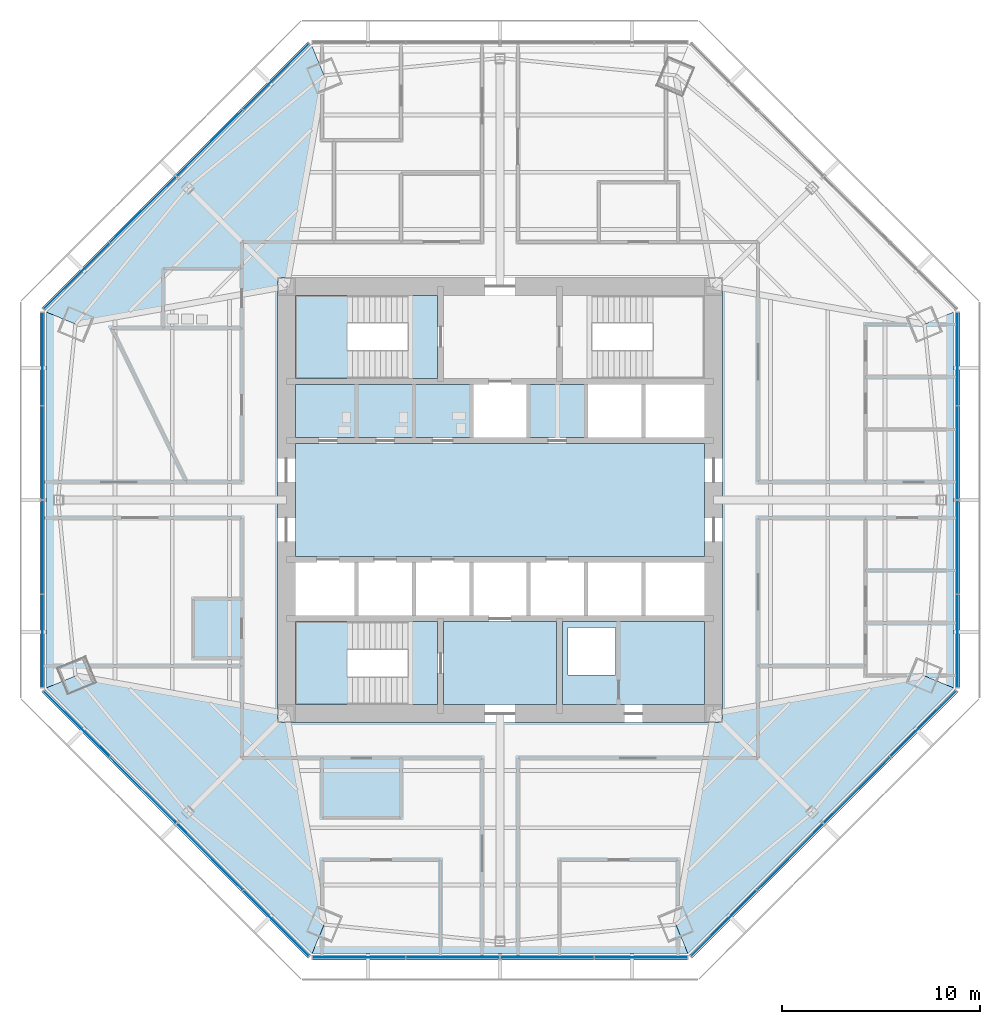
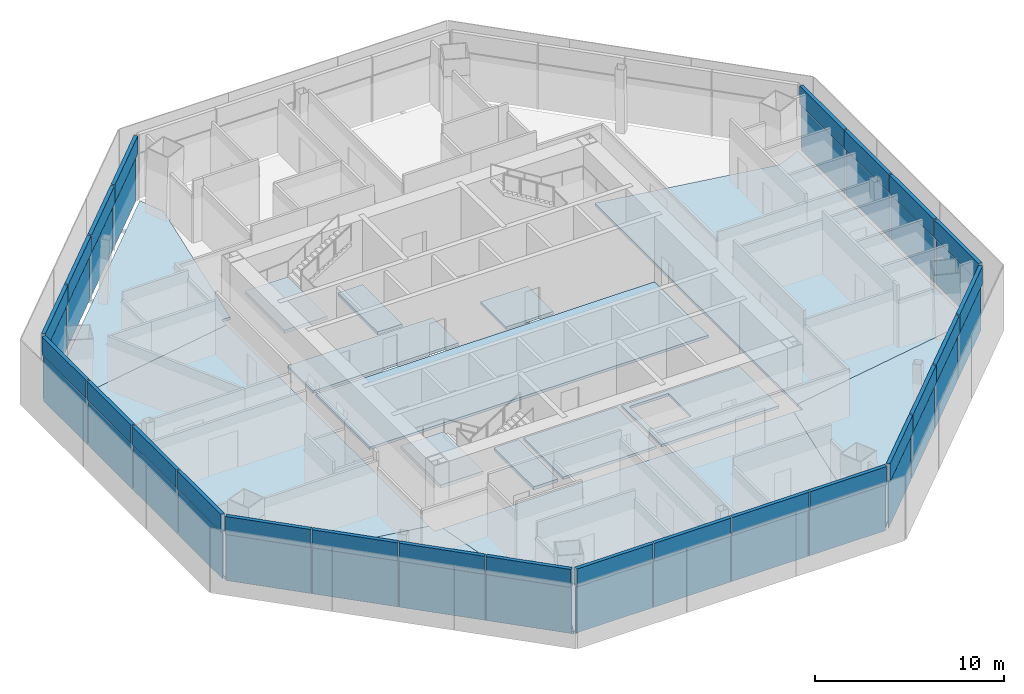
# One storey, part 7 of 15: 48 plates, 15 slabs, 8 elements without a shape of their own.
"""IFC4 building model written with IfcOpenShell, lengths in metres."""

from ifc_helpers import new_model, si_unit, direction, frame, origin, origin_2d, place, context, subcontext, project, spatial, polyline, rectangle, outline, extrude, source, transform, mapped, material, layer, layer_set, type_object, type_shapes, element, aggregate, save


model = new_model("IFC4")

# Units and contexts
model_context = context("Model", 3, precision=1e-05, world=origin(), true_north=direction((0.0, 1.0)))
body_context = subcontext(model_context, "Body", "Model", "MODEL_VIEW")
ifc_project = project(units=[si_unit("LENGTHUNIT", "METRE"), si_unit("AREAUNIT", "SQUARE_METRE"), si_unit("VOLUMEUNIT", "CUBIC_METRE"), si_unit("PLANEANGLEUNIT", "RADIAN"), si_unit("MASSUNIT", "GRAM", prefix="KILO")], contexts=[model_context])

# Site, building, storey
site_placement = place(None, origin())
site = spatial("IfcSite", under=ifc_project, at=site_placement, CompositionType="ELEMENT")
building_placement = place(site_placement, origin())
building = spatial("IfcBuilding", under=site, at=building_placement, Name="Mashrafa Tower", CompositionType="ELEMENT")
storey_placement = place(building_placement, frame((0.0, 0.0, 172.199951171875)))
storey = spatial("IfcBuildingStorey", under=building, at=storey_placement, Name="L39", CompositionType="ELEMENT", Elevation=172.199951171875)

# Slabs
ifc_material_1 = material(Name="Concrete C35/45", Category="concrete")
ifc_layer_1 = layer(ifc_material_1, 0.1650390625)
ifc_layer_set_1 = layer_set([ifc_layer_1], Name="Floor slab 165")
slab_type_1 = type_object("IfcSlabType", Name="Floor slab 165", PredefinedType="FLOOR", material=ifc_layer_set_1)
slab_1_placement = place(storey_placement, frame((0.0, 0.0, -0.1650390625)))
element("IfcSlab", 1, at=slab_1_placement, inside=storey, type_object=slab_type_1, Name="Floor slab L39 east bay", PredefinedType="FLOOR", context=body_context, shape_type="SweptSolid", body=[
    extrude(outline(polyline([(22.943359375, -9.50341796875), (21.469970703125, -8.89306640625), (11.25, -10.719482421875), (11.25, 10.719482421875), (21.469970703125, 8.89306640625), (22.943359375, 9.50341796875), (22.943359375, -9.50341796875)])), origin(), (0.0, 0.0, 1.0), 0.1650390625),
])
slab_2_placement = place(storey_placement, frame((0.0, 0.0, -0.1650390625)))
element("IfcSlab", 2, at=slab_2_placement, inside=storey, type_object=slab_type_1, Name="Floor slab L39 north-west bay", PredefinedType="FLOOR", context=body_context, shape_type="SweptSolid", body=[
    extrude(outline(polyline([(-22.943359375, 9.50341796875), (-9.50341796875, 22.943359375), (-9.50341796875, 22.943359375), (-8.89306640625, 21.469970703125), (-10.719482421875, 11.25), (-11.25, 11.25), (-11.25, 10.719482421875), (-21.469970703125, 8.89306640625), (-22.943359375, 9.50341796875), (-22.943359375, 9.50341796875)])), origin(), (0.0, 0.0, 1.0), 0.1650390625),
])
slab_3_placement = place(storey_placement, frame((0.0, 0.0, -0.1650390625)))
element("IfcSlab", 3, at=slab_3_placement, inside=storey, type_object=slab_type_1, Name="Floor slab L39 west bay", PredefinedType="FLOOR", context=body_context, shape_type="SweptSolid", body=[
    extrude(outline(polyline([(-22.943359375, 9.50341796875), (-21.469970703125, 8.89306640625), (-11.25, 10.719482421875), (-11.25, -10.719482421875), (-21.469970703125, -8.89306640625), (-22.943359375, -9.50341796875), (-22.943359375, 9.50341796875)])), origin(), (0.0, 0.0, 1.0), 0.1650390625),
])
slab_4_placement = place(storey_placement, frame((0.0, 0.0, -0.1650390625)))
element("IfcSlab", 4, at=slab_4_placement, inside=storey, type_object=slab_type_1, Name="Floor slab L39 south-west bay", PredefinedType="FLOOR", context=body_context, shape_type="SweptSolid", body=[
    extrude(outline(polyline([(-9.50341796875, -22.943359375), (-22.943359375, -9.50341796875), (-22.943359375, -9.50341796875), (-21.469970703125, -8.89306640625), (-11.25, -10.719482421875), (-11.25, -11.25), (-10.719482421875, -11.25), (-8.89306640625, -21.469970703125), (-9.50341796875, -22.943359375), (-9.50341796875, -22.943359375)])), origin(), (0.0, 0.0, 1.0), 0.1650390625),
])
slab_5_placement = place(storey_placement, frame((0.0, 0.0, -0.1650390625)))
element("IfcSlab", 5, at=slab_5_placement, inside=storey, type_object=slab_type_1, Name="Floor slab L39 south bay", PredefinedType="FLOOR", context=body_context, shape_type="SweptSolid", body=[
    extrude(outline(polyline([(-9.50341796875, -22.943359375), (-8.89306640625, -21.469970703125), (-10.719482421875, -11.25), (10.719482421875, -11.25), (8.89306640625, -21.469970703125), (9.50341796875, -22.943359375), (-9.50341796875, -22.943359375)])), origin(), (0.0, 0.0, 1.0), 0.1650390625),
])
slab_6_placement = place(storey_placement, frame((0.0, 0.0, -0.1650390625)))
element("IfcSlab", 6, at=slab_6_placement, inside=storey, type_object=slab_type_1, Name="Floor slab L39 south-east bay", PredefinedType="FLOOR", context=body_context, shape_type="SweptSolid", body=[
    extrude(outline(polyline([(9.50341796875, -22.943359375), (8.89306640625, -21.469970703125), (10.719482421875, -11.25), (11.25, -11.25), (11.25, -10.719482421875), (21.469970703125, -8.89306640625), (22.943359375, -9.50341796875), (22.943359375, -9.50341796875), (9.50341796875, -22.943359375), (9.50341796875, -22.943359375)])), origin(), (0.0, 0.0, 1.0), 0.1650390625),
])
slab_7_placement = place(storey_placement, frame((0.0, 0.0, -0.1650390625)))
element("IfcSlab", 7, at=slab_7_placement, inside=storey, type_object=slab_type_1, Name="Core floor lift hall L39", PredefinedType="FLOOR", context=body_context, shape_type="SweptSolid", body=[
    extrude(outline(polyline([(-10.35009765625, 2.85009765625), (10.35009765625, 2.85009765625), (10.35009765625, -2.85009765625), (-10.35009765625, -2.85009765625), (-10.35009765625, 2.85009765625)])), origin(), (0.0, 0.0, 1.0), 0.1650390625),
])
slab_8_placement = place(storey_placement, frame((0.0, 0.0, -0.1650390625)))
element("IfcSlab", 8, at=slab_8_placement, inside=storey, type_object=slab_type_1, Name="Core floor riser and electrical band L39", PredefinedType="FLOOR", context=body_context, shape_type="SweptSolid", body=[
    extrude(outline(polyline([(10.35009765625, -6.14990234375), (10.35009765625, -10.35009765625), (3.14990234375, -10.35009765625), (3.14990234375, -6.14990234375), (10.35009765625, -6.14990234375)]), holes=[polyline([(3.449951171875, -8.85009765625), (5.85009765625, -8.85009765625), (5.85009765625, -6.449951171875), (3.449951171875, -6.449951171875), (3.449951171875, -8.85009765625)])]), origin(), (0.0, 0.0, 1.0), 0.1650390625),
])
slab_9_placement = place(storey_placement, frame((0.0, 0.0, -0.1650390625)))
element("IfcSlab", 9, at=slab_9_placement, inside=storey, type_object=slab_type_1, Name="Core floor lift cell L39", PredefinedType="FLOOR", context=body_context, shape_type="SweptSolid", body=[
    extrude(outline(polyline([(-1.449951171875, 3.14990234375), (-10.35009765625, 3.14990234375), (-10.35009765625, 5.85009765625), (-1.449951171875, 5.85009765625), (-1.449951171875, 3.14990234375)])), origin(), (0.0, 0.0, 1.0), 0.1650390625),
])
slab_10_placement = place(storey_placement, frame((0.0, 0.0, -0.1650390625)))
element("IfcSlab", 10, at=slab_10_placement, inside=storey, type_object=slab_type_1, Name="Core floor fire-fighting lobby south L39", PredefinedType="FLOOR", context=body_context, shape_type="SweptSolid", body=[
    extrude(outline(polyline([(2.85009765625, -6.14990234375), (2.85009765625, -10.35009765625), (-2.85009765625, -10.35009765625), (-2.85009765625, -6.14990234375), (2.85009765625, -6.14990234375)])), origin(), (0.0, 0.0, 1.0), 0.1650390625),
])
slab_11_placement = place(storey_placement, frame((0.0, 0.0, -0.1650390625)))
element("IfcSlab", 11, at=slab_11_placement, inside=storey, type_object=slab_type_1, Name="Core floor lift cell L39", PredefinedType="FLOOR", context=body_context, shape_type="SweptSolid", body=[
    extrude(outline(polyline([(4.35009765625, 5.85009765625), (4.35009765625, 3.14990234375), (1.449951171875, 3.14990234375), (1.449951171875, 5.85009765625), (4.35009765625, 5.85009765625)])), origin(), (0.0, 0.0, 1.0), 0.1650390625),
])

# Stair, slabs
ifc_material_2 = material(Name="Exit stair 1400")
stair_type = type_object("IfcStairType", Name="Exit stair 1400", PredefinedType="HALF_TURN_STAIR", material=ifc_material_2)
stair_1_placement = place(storey_placement, origin())
stair_1 = element("IfcStair", 12, at=stair_1_placement, inside=storey, type_object=stair_type, Name="Stair S1 L39", PredefinedType="HALF_TURN_STAIR")
ifc_material_3 = material(Name="Concrete C32/40", Category="concrete")
ifc_layer_2 = layer(ifc_material_3, 0.199951171875)
ifc_layer_set_2 = layer_set([ifc_layer_2], Name="Stair landing 200")
slab_type_2 = type_object("IfcSlabType", Name="Stair landing 200", PredefinedType="LANDING", material=ifc_layer_set_2)
slab_12_placement = place(storey_placement, frame((0.0, 0.0, -0.199951171875)))
slab_12 = element("IfcSlab", 13, at=slab_12_placement, type_object=slab_type_2, Name="S1 landing 1", PredefinedType="LANDING", context=body_context, shape_type="SweptSolid", body=[
    extrude(outline(polyline([(-4.659912109375, 6.14990234375), (-3.14990234375, 6.14990234375), (-3.14990234375, 10.35009765625), (-4.659912109375, 10.35009765625), (-4.659912109375, 6.14990234375)])), origin(), (0.0, 0.0, 1.0), 0.199951171875),
])
slab_13_placement = place(storey_placement, frame((0.0, 0.0, 1.900146484375)))
slab_13 = element("IfcSlab", 14, at=slab_13_placement, type_object=slab_type_2, Name="S1 landing 2", PredefinedType="LANDING", context=body_context, shape_type="SweptSolid", body=[
    extrude(outline(polyline([(-10.35009765625, 6.14990234375), (-7.719970703125, 6.14990234375), (-7.719970703125, 10.35009765625), (-10.35009765625, 10.35009765625), (-10.35009765625, 6.14990234375)])), origin(), (0.0, 0.0, 1.0), 0.199951171875),
])
aggregate(stair_1, [slab_12, slab_13])

stair_2_placement = place(storey_placement, origin())
stair_2 = element("IfcStair", 15, at=stair_2_placement, inside=storey, type_object=stair_type, Name="Stair S3 L39", PredefinedType="HALF_TURN_STAIR")
slab_14_placement = place(storey_placement, frame((0.0, 0.0, -0.199951171875)))
slab_14 = element("IfcSlab", 16, at=slab_14_placement, type_object=slab_type_2, Name="S3 landing 1", PredefinedType="LANDING", context=body_context, shape_type="SweptSolid", body=[
    extrude(outline(polyline([(-4.659912109375, -10.35009765625), (-3.14990234375, -10.35009765625), (-3.14990234375, -6.14990234375), (-4.659912109375, -6.14990234375), (-4.659912109375, -10.35009765625)])), origin(), (0.0, 0.0, 1.0), 0.199951171875),
])
slab_15_placement = place(storey_placement, frame((0.0, 0.0, 1.900146484375)))
slab_15 = element("IfcSlab", 17, at=slab_15_placement, type_object=slab_type_2, Name="S3 landing 2", PredefinedType="LANDING", context=body_context, shape_type="SweptSolid", body=[
    extrude(outline(polyline([(-10.35009765625, -10.35009765625), (-7.719970703125, -10.35009765625), (-7.719970703125, -6.14990234375), (-10.35009765625, -6.14990234375), (-10.35009765625, -10.35009765625)])), origin(), (0.0, 0.0, 1.0), 0.199951171875),
])
aggregate(stair_2, [slab_14, slab_15])

# Curtain wall, plates
ifc_material_4 = material(Name="Unitised aluminium curtain wall", Category="aluminium")
curtain_wall_type = type_object("IfcCurtainWallType", Name="Office curtain wall, zone 2 CW-B 225 deep", PredefinedType="NOTDEFINED", material=ifc_material_4)
curtain_wall_1_placement = place(storey_placement, origin())
curtain_wall_1 = element("IfcCurtainWall", 18, at=curtain_wall_1_placement, inside=storey, type_object=curtain_wall_type, Name="Office curtain wall, zone 2 L39 east", PredefinedType="NOTDEFINED")
ifc_material_5 = material(Name="Insulated double glazing, low-e, neutral", Category="glass")
ifc_layer_3 = layer(ifc_material_5, 0.028076171875)
ifc_layer_set_3 = layer_set([ifc_layer_3], Name="Vision panel CW-B 28")
plate_type_1 = type_object("IfcPlateType", Name="Vision panel CW-B 28", PredefinedType="CURTAIN_PANEL", material=ifc_layer_set_3)
shared_shape_1 = source(origin(), body_context, "Body", "SweptSolid", [
    extrude(rectangle(XDim=4.66748046875, YDim=0.028076171875, at=origin_2d()), origin(), (0.0, 0.0, 1.0), 2.9599609375),
])
plate_1_placement = place(storey_placement, frame((23.143310546875, -7.131103515625, 0.0), z_axis=(0.0, 0.0, 1.0), x_axis=(0.0, 1.0, 0.0)))
plate_1 = element("IfcPlate", 19, at=plate_1_placement, type_object=plate_type_1, Name="CW-B vision panel 1", PredefinedType="CURTAIN_PANEL", context=body_context, shape_type="MappedRepresentation", body=[
    mapped(shared_shape_1, transform((0.0, 0.0, 0.0))),
])
plate_2_placement = place(storey_placement, frame((23.143310546875, 7.131103515625, 0.0), z_axis=(0.0, 0.0, 1.0), x_axis=(0.0, 1.0, 0.0)))
plate_2 = element("IfcPlate", 20, at=plate_2_placement, type_object=plate_type_1, Name="CW-B vision panel 4", PredefinedType="CURTAIN_PANEL", context=body_context, shape_type="MappedRepresentation", body=[
    mapped(shared_shape_1, transform((0.0, 0.0, 0.0))),
])

curtain_wall_2_placement = place(storey_placement, origin())
curtain_wall_2 = element("IfcCurtainWall", 21, at=curtain_wall_2_placement, inside=storey, type_object=curtain_wall_type, Name="Office curtain wall, zone 2 L39 north-west", PredefinedType="NOTDEFINED")
plate_3_placement = place(storey_placement, frame((-11.322509765625, 21.4072265625, 0.0), z_axis=(0.0, 0.0, 1.0), x_axis=(-0.707106781187, -0.707106781187, 0.0)))
plate_3 = element("IfcPlate", 22, at=plate_3_placement, type_object=plate_type_1, Name="CW-B vision panel 1", PredefinedType="CURTAIN_PANEL", context=body_context, shape_type="MappedRepresentation", body=[
    mapped(shared_shape_1, transform((0.0, 0.0, 0.0))),
])
plate_4_placement = place(storey_placement, frame((-21.4072265625, 11.322509765625, 0.0), z_axis=(0.0, 0.0, 1.0), x_axis=(-0.707106781187, -0.707106781187, 0.0)))
plate_4 = element("IfcPlate", 23, at=plate_4_placement, type_object=plate_type_1, Name="CW-B vision panel 4", PredefinedType="CURTAIN_PANEL", context=body_context, shape_type="MappedRepresentation", body=[
    mapped(shared_shape_1, transform((0.0, 0.0, 0.0))),
])

curtain_wall_3_placement = place(storey_placement, origin())
curtain_wall_3 = element("IfcCurtainWall", 24, at=curtain_wall_3_placement, inside=storey, type_object=curtain_wall_type, Name="Office curtain wall, zone 2 L39 west", PredefinedType="NOTDEFINED")
plate_5_placement = place(storey_placement, frame((-23.143310546875, 7.131103515625, 0.0), z_axis=(0.0, 0.0, 1.0), x_axis=(0.0, -1.0, 0.0)))
plate_5 = element("IfcPlate", 25, at=plate_5_placement, type_object=plate_type_1, Name="CW-B vision panel 1", PredefinedType="CURTAIN_PANEL", context=body_context, shape_type="MappedRepresentation", body=[
    mapped(shared_shape_1, transform((0.0, 0.0, 0.0))),
])
plate_6_placement = place(storey_placement, frame((-23.143310546875, -7.131103515625, 0.0), z_axis=(0.0, 0.0, 1.0), x_axis=(0.0, -1.0, 0.0)))
plate_6 = element("IfcPlate", 26, at=plate_6_placement, type_object=plate_type_1, Name="CW-B vision panel 4", PredefinedType="CURTAIN_PANEL", context=body_context, shape_type="MappedRepresentation", body=[
    mapped(shared_shape_1, transform((0.0, 0.0, 0.0))),
])

curtain_wall_4_placement = place(storey_placement, origin())
curtain_wall_4 = element("IfcCurtainWall", 27, at=curtain_wall_4_placement, inside=storey, type_object=curtain_wall_type, Name="Office curtain wall, zone 2 L39 south-west", PredefinedType="NOTDEFINED")
plate_7_placement = place(storey_placement, frame((-21.4072265625, -11.322509765625, 0.0), z_axis=(0.0, 0.0, 1.0), x_axis=(0.707106781187, -0.707106781187, 0.0)))
plate_7 = element("IfcPlate", 28, at=plate_7_placement, type_object=plate_type_1, Name="CW-B vision panel 1", PredefinedType="CURTAIN_PANEL", context=body_context, shape_type="MappedRepresentation", body=[
    mapped(shared_shape_1, transform((0.0, 0.0, 0.0))),
])
plate_8_placement = place(storey_placement, frame((-11.322509765625, -21.4072265625, 0.0), z_axis=(0.0, 0.0, 1.0), x_axis=(0.707106781187, -0.707106781187, 0.0)))
plate_8 = element("IfcPlate", 29, at=plate_8_placement, type_object=plate_type_1, Name="CW-B vision panel 4", PredefinedType="CURTAIN_PANEL", context=body_context, shape_type="MappedRepresentation", body=[
    mapped(shared_shape_1, transform((0.0, 0.0, 0.0))),
])

curtain_wall_5_placement = place(storey_placement, origin())
curtain_wall_5 = element("IfcCurtainWall", 30, at=curtain_wall_5_placement, inside=storey, type_object=curtain_wall_type, Name="Office curtain wall, zone 2 L39 south", PredefinedType="NOTDEFINED")
plate_9_placement = place(storey_placement, frame((-7.131103515625, -23.143310546875, 0.0), z_axis=(0.0, 0.0, 1.0), x_axis=(1.0, 0.0, 0.0)))
plate_9 = element("IfcPlate", 31, at=plate_9_placement, type_object=plate_type_1, Name="CW-B vision panel 1", PredefinedType="CURTAIN_PANEL", context=body_context, shape_type="MappedRepresentation", body=[
    mapped(shared_shape_1, transform((0.0, 0.0, 0.0))),
])
plate_10_placement = place(storey_placement, frame((7.131103515625, -23.143310546875, 0.0), z_axis=(0.0, 0.0, 1.0), x_axis=(1.0, 0.0, 0.0)))
plate_10 = element("IfcPlate", 32, at=plate_10_placement, type_object=plate_type_1, Name="CW-B vision panel 4", PredefinedType="CURTAIN_PANEL", context=body_context, shape_type="MappedRepresentation", body=[
    mapped(shared_shape_1, transform((0.0, 0.0, 0.0))),
])

curtain_wall_6_placement = place(storey_placement, origin())
curtain_wall_6 = element("IfcCurtainWall", 33, at=curtain_wall_6_placement, inside=storey, type_object=curtain_wall_type, Name="Office curtain wall, zone 2 L39 south-east", PredefinedType="NOTDEFINED")
plate_11_placement = place(storey_placement, frame((11.322509765625, -21.4072265625, 0.0), z_axis=(0.0, 0.0, 1.0), x_axis=(0.707106781187, 0.707106781187, 0.0)))
plate_11 = element("IfcPlate", 34, at=plate_11_placement, type_object=plate_type_1, Name="CW-B vision panel 1", PredefinedType="CURTAIN_PANEL", context=body_context, shape_type="MappedRepresentation", body=[
    mapped(shared_shape_1, transform((0.0, 0.0, 0.0))),
])
plate_12_placement = place(storey_placement, frame((21.4072265625, -11.322509765625, 0.0), z_axis=(0.0, 0.0, 1.0), x_axis=(0.707106781187, 0.707106781187, 0.0)))
plate_12 = element("IfcPlate", 35, at=plate_12_placement, type_object=plate_type_1, Name="CW-B vision panel 4", PredefinedType="CURTAIN_PANEL", context=body_context, shape_type="MappedRepresentation", body=[
    mapped(shared_shape_1, transform((0.0, 0.0, 0.0))),
])

# Plate
ifc_material_6 = material(Name="Insulated aluminium spandrel panel", Category="aluminium")
ifc_layer_4 = layer(ifc_material_6, 0.219970703125)
ifc_layer_set_4 = layer_set([ifc_layer_4], Name="Spandrel panel CW-B 220")
plate_type_2 = type_object("IfcPlateType", Name="Spandrel panel CW-B 220", PredefinedType="CURTAIN_PANEL", material=ifc_layer_set_4)
shared_shape_2 = source(origin(), body_context, "Body", "SweptSolid", [
    extrude(rectangle(XDim=4.66748046875, YDim=0.219970703125, at=origin_2d()), origin(), (0.0, 0.0, 1.0), 1.159912109375),
])
plate_13_placement = place(storey_placement, frame((23.143310546875, -7.131103515625, 3.0400390625), z_axis=(0.0, 0.0, 1.0), x_axis=(0.0, 1.0, 0.0)))
plate_13 = element("IfcPlate", 36, at=plate_13_placement, type_object=plate_type_2, Name="CW-B spandrel panel 1", PredefinedType="CURTAIN_PANEL", context=body_context, shape_type="MappedRepresentation", body=[
    mapped(shared_shape_2, transform((0.0, 0.0, 0.0))),
])

plate_14_placement = place(storey_placement, frame((23.143310546875, 7.131103515625, 3.0400390625), z_axis=(0.0, 0.0, 1.0), x_axis=(0.0, 1.0, 0.0)))
plate_14 = element("IfcPlate", 37, at=plate_14_placement, type_object=plate_type_2, Name="CW-B spandrel panel 4", PredefinedType="CURTAIN_PANEL", context=body_context, shape_type="MappedRepresentation", body=[
    mapped(shared_shape_2, transform((0.0, 0.0, 0.0))),
])

plate_15_placement = place(storey_placement, frame((-11.322509765625, 21.4072265625, 3.0400390625), z_axis=(0.0, 0.0, 1.0), x_axis=(-0.707106781187, -0.707106781187, 0.0)))
plate_15 = element("IfcPlate", 38, at=plate_15_placement, type_object=plate_type_2, Name="CW-B spandrel panel 1", PredefinedType="CURTAIN_PANEL", context=body_context, shape_type="MappedRepresentation", body=[
    mapped(shared_shape_2, transform((0.0, 0.0, 0.0))),
])

plate_16_placement = place(storey_placement, frame((-21.4072265625, 11.322509765625, 3.0400390625), z_axis=(0.0, 0.0, 1.0), x_axis=(-0.707106781187, -0.707106781187, 0.0)))
plate_16 = element("IfcPlate", 39, at=plate_16_placement, type_object=plate_type_2, Name="CW-B spandrel panel 4", PredefinedType="CURTAIN_PANEL", context=body_context, shape_type="MappedRepresentation", body=[
    mapped(shared_shape_2, transform((0.0, 0.0, 0.0))),
])

plate_17_placement = place(storey_placement, frame((-23.143310546875, 7.131103515625, 3.0400390625), z_axis=(0.0, 0.0, 1.0), x_axis=(0.0, -1.0, 0.0)))
plate_17 = element("IfcPlate", 40, at=plate_17_placement, type_object=plate_type_2, Name="CW-B spandrel panel 1", PredefinedType="CURTAIN_PANEL", context=body_context, shape_type="MappedRepresentation", body=[
    mapped(shared_shape_2, transform((0.0, 0.0, 0.0))),
])

plate_18_placement = place(storey_placement, frame((-23.143310546875, -7.131103515625, 3.0400390625), z_axis=(0.0, 0.0, 1.0), x_axis=(0.0, -1.0, 0.0)))
plate_18 = element("IfcPlate", 41, at=plate_18_placement, type_object=plate_type_2, Name="CW-B spandrel panel 4", PredefinedType="CURTAIN_PANEL", context=body_context, shape_type="MappedRepresentation", body=[
    mapped(shared_shape_2, transform((0.0, 0.0, 0.0))),
])

plate_19_placement = place(storey_placement, frame((-21.4072265625, -11.322509765625, 3.0400390625), z_axis=(0.0, 0.0, 1.0), x_axis=(0.707106781187, -0.707106781187, 0.0)))
plate_19 = element("IfcPlate", 42, at=plate_19_placement, type_object=plate_type_2, Name="CW-B spandrel panel 1", PredefinedType="CURTAIN_PANEL", context=body_context, shape_type="MappedRepresentation", body=[
    mapped(shared_shape_2, transform((0.0, 0.0, 0.0))),
])

plate_20_placement = place(storey_placement, frame((-11.322509765625, -21.4072265625, 3.0400390625), z_axis=(0.0, 0.0, 1.0), x_axis=(0.707106781187, -0.707106781187, 0.0)))
plate_20 = element("IfcPlate", 43, at=plate_20_placement, type_object=plate_type_2, Name="CW-B spandrel panel 4", PredefinedType="CURTAIN_PANEL", context=body_context, shape_type="MappedRepresentation", body=[
    mapped(shared_shape_2, transform((0.0, 0.0, 0.0))),
])

plate_21_placement = place(storey_placement, frame((-7.131103515625, -23.143310546875, 3.0400390625), z_axis=(0.0, 0.0, 1.0), x_axis=(1.0, 0.0, 0.0)))
plate_21 = element("IfcPlate", 44, at=plate_21_placement, type_object=plate_type_2, Name="CW-B spandrel panel 1", PredefinedType="CURTAIN_PANEL", context=body_context, shape_type="MappedRepresentation", body=[
    mapped(shared_shape_2, transform((0.0, 0.0, 0.0))),
])

plate_22_placement = place(storey_placement, frame((7.131103515625, -23.143310546875, 3.0400390625), z_axis=(0.0, 0.0, 1.0), x_axis=(1.0, 0.0, 0.0)))
plate_22 = element("IfcPlate", 45, at=plate_22_placement, type_object=plate_type_2, Name="CW-B spandrel panel 4", PredefinedType="CURTAIN_PANEL", context=body_context, shape_type="MappedRepresentation", body=[
    mapped(shared_shape_2, transform((0.0, 0.0, 0.0))),
])

plate_23_placement = place(storey_placement, frame((11.322509765625, -21.4072265625, 3.0400390625), z_axis=(0.0, 0.0, 1.0), x_axis=(0.707106781187, 0.707106781187, 0.0)))
plate_23 = element("IfcPlate", 46, at=plate_23_placement, type_object=plate_type_2, Name="CW-B spandrel panel 1", PredefinedType="CURTAIN_PANEL", context=body_context, shape_type="MappedRepresentation", body=[
    mapped(shared_shape_2, transform((0.0, 0.0, 0.0))),
])

plate_24_placement = place(storey_placement, frame((21.4072265625, -11.322509765625, 3.0400390625), z_axis=(0.0, 0.0, 1.0), x_axis=(0.707106781187, 0.707106781187, 0.0)))
plate_24 = element("IfcPlate", 47, at=plate_24_placement, type_object=plate_type_2, Name="CW-B spandrel panel 4", PredefinedType="CURTAIN_PANEL", context=body_context, shape_type="MappedRepresentation", body=[
    mapped(shared_shape_2, transform((0.0, 0.0, 0.0))),
])

shared_shape_3 = source(origin(), body_context, "Body", "SweptSolid", [
    extrude(rectangle(XDim=4.699951171875, YDim=0.028076171875, at=origin_2d()), origin(), (0.0, 0.0, 1.0), 2.9599609375),
])
type_shapes(plate_type_1, [shared_shape_1, shared_shape_3])
plate_25_placement = place(storey_placement, frame((23.143310546875, -2.38232421875, 0.0), z_axis=(0.0, 0.0, 1.0), x_axis=(0.0, 1.0, 0.0)))
plate_25 = element("IfcPlate", 48, at=plate_25_placement, type_object=plate_type_1, Name="CW-B vision panel 2", PredefinedType="CURTAIN_PANEL", context=body_context, shape_type="MappedRepresentation", body=[
    mapped(shared_shape_3, transform((0.0, 0.0, 0.0))),
])

plate_26_placement = place(storey_placement, frame((23.143310546875, 2.38232421875, 0.0), z_axis=(0.0, 0.0, 1.0), x_axis=(0.0, 1.0, 0.0)))
plate_26 = element("IfcPlate", 49, at=plate_26_placement, type_object=plate_type_1, Name="CW-B vision panel 3", PredefinedType="CURTAIN_PANEL", context=body_context, shape_type="MappedRepresentation", body=[
    mapped(shared_shape_3, transform((0.0, 0.0, 0.0))),
])

plate_27_placement = place(storey_placement, frame((-14.68017578125, 18.049560546875, 0.0), z_axis=(0.0, 0.0, 1.0), x_axis=(-0.707106781187, -0.707106781187, 0.0)))
plate_27 = element("IfcPlate", 50, at=plate_27_placement, type_object=plate_type_1, Name="CW-B vision panel 2", PredefinedType="CURTAIN_PANEL", context=body_context, shape_type="MappedRepresentation", body=[
    mapped(shared_shape_3, transform((0.0, 0.0, 0.0))),
])

plate_28_placement = place(storey_placement, frame((-18.049560546875, 14.68017578125, 0.0), z_axis=(0.0, 0.0, 1.0), x_axis=(-0.707106781187, -0.707106781187, 0.0)))
plate_28 = element("IfcPlate", 51, at=plate_28_placement, type_object=plate_type_1, Name="CW-B vision panel 3", PredefinedType="CURTAIN_PANEL", context=body_context, shape_type="MappedRepresentation", body=[
    mapped(shared_shape_3, transform((0.0, 0.0, 0.0))),
])

plate_29_placement = place(storey_placement, frame((-23.143310546875, 2.38232421875, 0.0), z_axis=(0.0, 0.0, 1.0), x_axis=(0.0, -1.0, 0.0)))
plate_29 = element("IfcPlate", 52, at=plate_29_placement, type_object=plate_type_1, Name="CW-B vision panel 2", PredefinedType="CURTAIN_PANEL", context=body_context, shape_type="MappedRepresentation", body=[
    mapped(shared_shape_3, transform((0.0, 0.0, 0.0))),
])

plate_30_placement = place(storey_placement, frame((-23.143310546875, -2.38232421875, 0.0), z_axis=(0.0, 0.0, 1.0), x_axis=(0.0, -1.0, 0.0)))
plate_30 = element("IfcPlate", 53, at=plate_30_placement, type_object=plate_type_1, Name="CW-B vision panel 3", PredefinedType="CURTAIN_PANEL", context=body_context, shape_type="MappedRepresentation", body=[
    mapped(shared_shape_3, transform((0.0, 0.0, 0.0))),
])

plate_31_placement = place(storey_placement, frame((-18.049560546875, -14.68017578125, 0.0), z_axis=(0.0, 0.0, 1.0), x_axis=(0.707106781187, -0.707106781187, 0.0)))
plate_31 = element("IfcPlate", 54, at=plate_31_placement, type_object=plate_type_1, Name="CW-B vision panel 2", PredefinedType="CURTAIN_PANEL", context=body_context, shape_type="MappedRepresentation", body=[
    mapped(shared_shape_3, transform((0.0, 0.0, 0.0))),
])

plate_32_placement = place(storey_placement, frame((-14.68017578125, -18.049560546875, 0.0), z_axis=(0.0, 0.0, 1.0), x_axis=(0.707106781187, -0.707106781187, 0.0)))
plate_32 = element("IfcPlate", 55, at=plate_32_placement, type_object=plate_type_1, Name="CW-B vision panel 3", PredefinedType="CURTAIN_PANEL", context=body_context, shape_type="MappedRepresentation", body=[
    mapped(shared_shape_3, transform((0.0, 0.0, 0.0))),
])

plate_33_placement = place(storey_placement, frame((-2.38232421875, -23.143310546875, 0.0), z_axis=(0.0, 0.0, 1.0), x_axis=(1.0, 0.0, 0.0)))
plate_33 = element("IfcPlate", 56, at=plate_33_placement, type_object=plate_type_1, Name="CW-B vision panel 2", PredefinedType="CURTAIN_PANEL", context=body_context, shape_type="MappedRepresentation", body=[
    mapped(shared_shape_3, transform((0.0, 0.0, 0.0))),
])

plate_34_placement = place(storey_placement, frame((2.38232421875, -23.143310546875, 0.0), z_axis=(0.0, 0.0, 1.0), x_axis=(1.0, 0.0, 0.0)))
plate_34 = element("IfcPlate", 57, at=plate_34_placement, type_object=plate_type_1, Name="CW-B vision panel 3", PredefinedType="CURTAIN_PANEL", context=body_context, shape_type="MappedRepresentation", body=[
    mapped(shared_shape_3, transform((0.0, 0.0, 0.0))),
])

plate_35_placement = place(storey_placement, frame((14.68017578125, -18.049560546875, 0.0), z_axis=(0.0, 0.0, 1.0), x_axis=(0.707106781187, 0.707106781187, 0.0)))
plate_35 = element("IfcPlate", 58, at=plate_35_placement, type_object=plate_type_1, Name="CW-B vision panel 2", PredefinedType="CURTAIN_PANEL", context=body_context, shape_type="MappedRepresentation", body=[
    mapped(shared_shape_3, transform((0.0, 0.0, 0.0))),
])

plate_36_placement = place(storey_placement, frame((18.049560546875, -14.68017578125, 0.0), z_axis=(0.0, 0.0, 1.0), x_axis=(0.707106781187, 0.707106781187, 0.0)))
plate_36 = element("IfcPlate", 59, at=plate_36_placement, type_object=plate_type_1, Name="CW-B vision panel 3", PredefinedType="CURTAIN_PANEL", context=body_context, shape_type="MappedRepresentation", body=[
    mapped(shared_shape_3, transform((0.0, 0.0, 0.0))),
])

shared_shape_4 = source(origin(), body_context, "Body", "SweptSolid", [
    extrude(rectangle(XDim=4.699951171875, YDim=0.219970703125, at=origin_2d()), origin(), (0.0, 0.0, 1.0), 1.159912109375),
])
type_shapes(plate_type_2, [shared_shape_2, shared_shape_4])
plate_37_placement = place(storey_placement, frame((23.143310546875, -2.38232421875, 3.0400390625), z_axis=(0.0, 0.0, 1.0), x_axis=(0.0, 1.0, 0.0)))
plate_37 = element("IfcPlate", 60, at=plate_37_placement, type_object=plate_type_2, Name="CW-B spandrel panel 2", PredefinedType="CURTAIN_PANEL", context=body_context, shape_type="MappedRepresentation", body=[
    mapped(shared_shape_4, transform((0.0, 0.0, 0.0))),
])

plate_38_placement = place(storey_placement, frame((23.143310546875, 2.38232421875, 3.0400390625), z_axis=(0.0, 0.0, 1.0), x_axis=(0.0, 1.0, 0.0)))
plate_38 = element("IfcPlate", 61, at=plate_38_placement, type_object=plate_type_2, Name="CW-B spandrel panel 3", PredefinedType="CURTAIN_PANEL", context=body_context, shape_type="MappedRepresentation", body=[
    mapped(shared_shape_4, transform((0.0, 0.0, 0.0))),
])

aggregate(curtain_wall_1, [plate_1, plate_13, plate_25, plate_37, plate_26, plate_38, plate_2, plate_14])

plate_39_placement = place(storey_placement, frame((-14.68017578125, 18.049560546875, 3.0400390625), z_axis=(0.0, 0.0, 1.0), x_axis=(-0.707106781187, -0.707106781187, 0.0)))
plate_39 = element("IfcPlate", 62, at=plate_39_placement, type_object=plate_type_2, Name="CW-B spandrel panel 2", PredefinedType="CURTAIN_PANEL", context=body_context, shape_type="MappedRepresentation", body=[
    mapped(shared_shape_4, transform((0.0, 0.0, 0.0))),
])

plate_40_placement = place(storey_placement, frame((-18.049560546875, 14.68017578125, 3.0400390625), z_axis=(0.0, 0.0, 1.0), x_axis=(-0.707106781187, -0.707106781187, 0.0)))
plate_40 = element("IfcPlate", 63, at=plate_40_placement, type_object=plate_type_2, Name="CW-B spandrel panel 3", PredefinedType="CURTAIN_PANEL", context=body_context, shape_type="MappedRepresentation", body=[
    mapped(shared_shape_4, transform((0.0, 0.0, 0.0))),
])

aggregate(curtain_wall_2, [plate_3, plate_15, plate_27, plate_39, plate_28, plate_40, plate_4, plate_16])

plate_41_placement = place(storey_placement, frame((-23.143310546875, 2.38232421875, 3.0400390625), z_axis=(0.0, 0.0, 1.0), x_axis=(0.0, -1.0, 0.0)))
plate_41 = element("IfcPlate", 64, at=plate_41_placement, type_object=plate_type_2, Name="CW-B spandrel panel 2", PredefinedType="CURTAIN_PANEL", context=body_context, shape_type="MappedRepresentation", body=[
    mapped(shared_shape_4, transform((0.0, 0.0, 0.0))),
])

plate_42_placement = place(storey_placement, frame((-23.143310546875, -2.38232421875, 3.0400390625), z_axis=(0.0, 0.0, 1.0), x_axis=(0.0, -1.0, 0.0)))
plate_42 = element("IfcPlate", 65, at=plate_42_placement, type_object=plate_type_2, Name="CW-B spandrel panel 3", PredefinedType="CURTAIN_PANEL", context=body_context, shape_type="MappedRepresentation", body=[
    mapped(shared_shape_4, transform((0.0, 0.0, 0.0))),
])

aggregate(curtain_wall_3, [plate_5, plate_17, plate_29, plate_41, plate_30, plate_42, plate_6, plate_18])

plate_43_placement = place(storey_placement, frame((-18.049560546875, -14.68017578125, 3.0400390625), z_axis=(0.0, 0.0, 1.0), x_axis=(0.707106781187, -0.707106781187, 0.0)))
plate_43 = element("IfcPlate", 66, at=plate_43_placement, type_object=plate_type_2, Name="CW-B spandrel panel 2", PredefinedType="CURTAIN_PANEL", context=body_context, shape_type="MappedRepresentation", body=[
    mapped(shared_shape_4, transform((0.0, 0.0, 0.0))),
])

plate_44_placement = place(storey_placement, frame((-14.68017578125, -18.049560546875, 3.0400390625), z_axis=(0.0, 0.0, 1.0), x_axis=(0.707106781187, -0.707106781187, 0.0)))
plate_44 = element("IfcPlate", 67, at=plate_44_placement, type_object=plate_type_2, Name="CW-B spandrel panel 3", PredefinedType="CURTAIN_PANEL", context=body_context, shape_type="MappedRepresentation", body=[
    mapped(shared_shape_4, transform((0.0, 0.0, 0.0))),
])

aggregate(curtain_wall_4, [plate_7, plate_19, plate_31, plate_43, plate_32, plate_44, plate_8, plate_20])

plate_45_placement = place(storey_placement, frame((-2.38232421875, -23.143310546875, 3.0400390625), z_axis=(0.0, 0.0, 1.0), x_axis=(1.0, 0.0, 0.0)))
plate_45 = element("IfcPlate", 68, at=plate_45_placement, type_object=plate_type_2, Name="CW-B spandrel panel 2", PredefinedType="CURTAIN_PANEL", context=body_context, shape_type="MappedRepresentation", body=[
    mapped(shared_shape_4, transform((0.0, 0.0, 0.0))),
])

plate_46_placement = place(storey_placement, frame((2.38232421875, -23.143310546875, 3.0400390625), z_axis=(0.0, 0.0, 1.0), x_axis=(1.0, 0.0, 0.0)))
plate_46 = element("IfcPlate", 69, at=plate_46_placement, type_object=plate_type_2, Name="CW-B spandrel panel 3", PredefinedType="CURTAIN_PANEL", context=body_context, shape_type="MappedRepresentation", body=[
    mapped(shared_shape_4, transform((0.0, 0.0, 0.0))),
])

aggregate(curtain_wall_5, [plate_9, plate_21, plate_33, plate_45, plate_34, plate_46, plate_10, plate_22])

plate_47_placement = place(storey_placement, frame((14.68017578125, -18.049560546875, 3.0400390625), z_axis=(0.0, 0.0, 1.0), x_axis=(0.707106781187, 0.707106781187, 0.0)))
plate_47 = element("IfcPlate", 70, at=plate_47_placement, type_object=plate_type_2, Name="CW-B spandrel panel 2", PredefinedType="CURTAIN_PANEL", context=body_context, shape_type="MappedRepresentation", body=[
    mapped(shared_shape_4, transform((0.0, 0.0, 0.0))),
])

plate_48_placement = place(storey_placement, frame((18.049560546875, -14.68017578125, 3.0400390625), z_axis=(0.0, 0.0, 1.0), x_axis=(0.707106781187, 0.707106781187, 0.0)))
plate_48 = element("IfcPlate", 71, at=plate_48_placement, type_object=plate_type_2, Name="CW-B spandrel panel 3", PredefinedType="CURTAIN_PANEL", context=body_context, shape_type="MappedRepresentation", body=[
    mapped(shared_shape_4, transform((0.0, 0.0, 0.0))),
])

aggregate(curtain_wall_6, [plate_11, plate_23, plate_35, plate_47, plate_36, plate_48, plate_12, plate_24])

save(model, "model.ifc")
